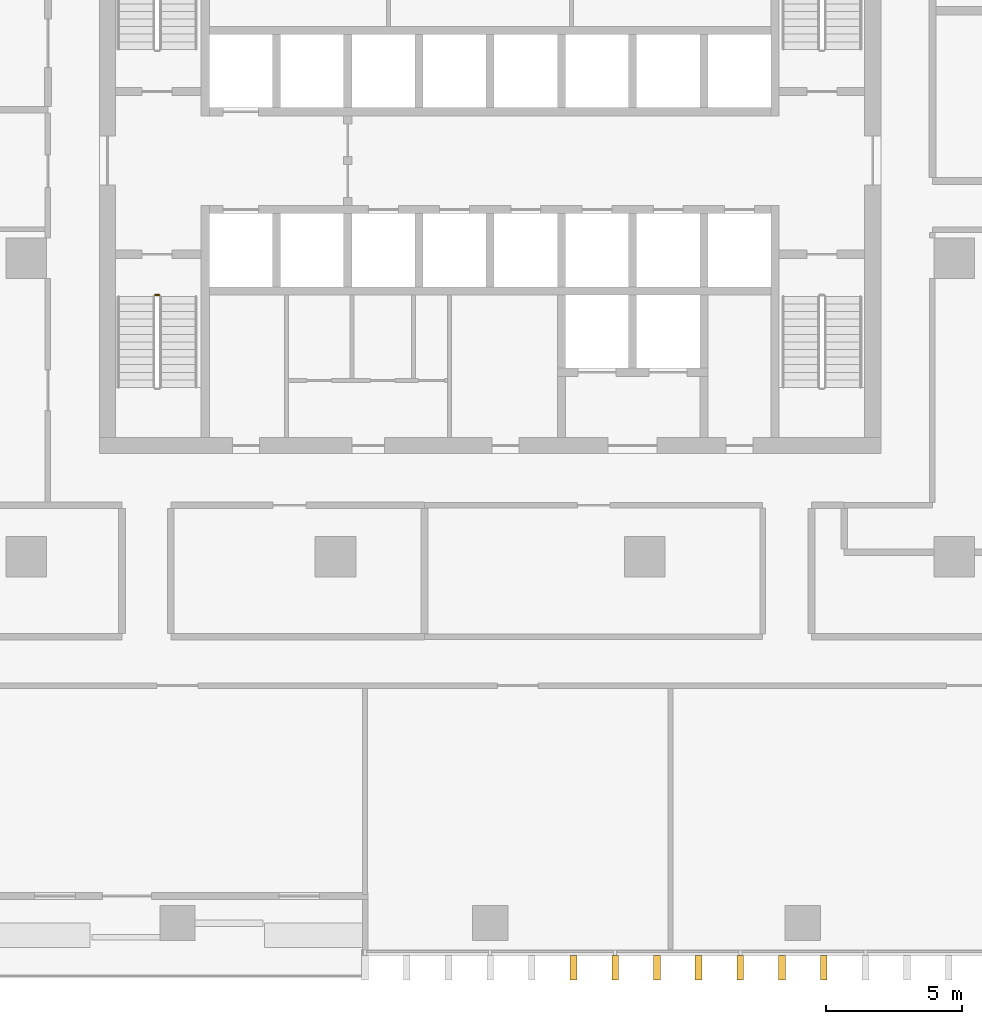
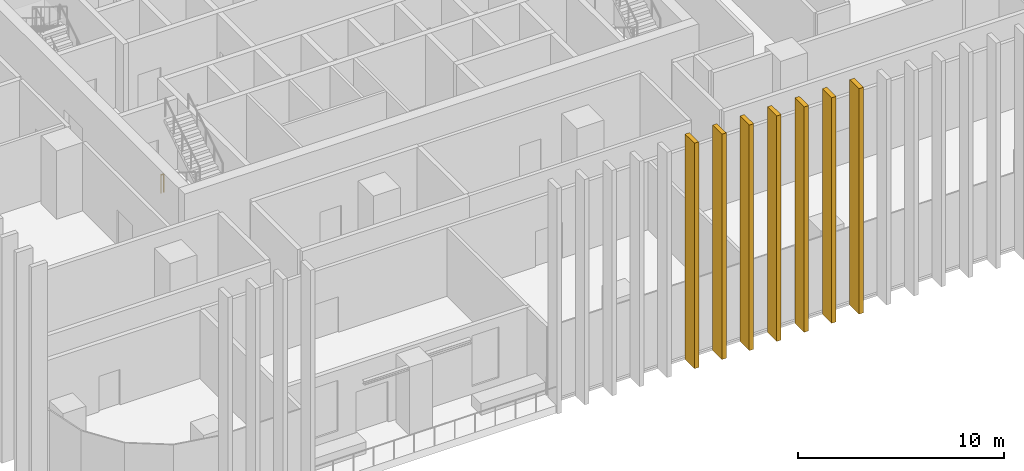
# One storey, part 13 of 17: 7 shading devices, 1 railing.
"""IFC4 building model written with IfcOpenShell, lengths in metres."""

from ifc_helpers import new_model, si_unit, direction, frame, origin, origin_2d, place, context, subcontext, project, spatial, rectangle, circle, extrude, material, type_object, element, save


model = new_model("IFC4")

# Units and contexts
model_context = context("Model", 3, precision=1e-05, world=origin(), true_north=direction((0.0, 1.0)))
body_context = subcontext(model_context, "Body", "Model", "MODEL_VIEW")
ifc_project = project(units=[si_unit("LENGTHUNIT", "METRE"), si_unit("AREAUNIT", "SQUARE_METRE"), si_unit("VOLUMEUNIT", "CUBIC_METRE"), si_unit("PLANEANGLEUNIT", "RADIAN"), si_unit("MASSUNIT", "GRAM", prefix="KILO")], contexts=[model_context])

# Site, building, storey
site_placement = place(None, origin())
site = spatial("IfcSite", under=ifc_project, at=site_placement, CompositionType="ELEMENT")
building_placement = place(site_placement, origin())
building = spatial("IfcBuilding", under=site, at=building_placement, Name="Mopane Tessera Tower", CompositionType="ELEMENT")
storey_placement = place(building_placement, frame((0.0, 0.0, 135.10009765625)))
storey = spatial("IfcBuildingStorey", under=building, at=storey_placement, Name="L27", CompositionType="ELEMENT", Elevation=135.10009765625)

# Shading devices
ifc_material_1 = material(Name="Glazed ceramic tile")
shading_device_type = type_object("IfcShadingDeviceType", Name="Ceramic tile fin 900 x 250 mm", PredefinedType="USERDEFINED", material=ifc_material_1)
for number, where, z_axis, x_axis, name in (
    (1, (3.0732421875, -26.14990234375, -0.4501953125), (0.0, 0.0, 1.0), (1.0, 0.0, 0.0), "e:fin:L27:S:5:2"),
    (2, (4.610107421875, -26.14990234375, -0.4501953125), (0.0, 0.0, 1.0), (1.0, 0.0, 0.0), "e:fin:L27:S:6:0"),
    (3, (6.146728515625, -26.14990234375, -0.4501953125), (0.0, 0.0, 1.0), (1.0, 0.0, 0.0), "e:fin:L27:S:6:1"),
    (4, (7.683349609375, -26.14990234375, -0.4501953125), (0.0, 0.0, 1.0), (1.0, 0.0, 0.0), "e:fin:L27:S:6:2"),
    (5, (9.219970703125, -26.14990234375, -0.4501953125), (0.0, 0.0, 1.0), (1.0, 0.0, 0.0), "e:fin:L27:S:7:0"),
    (6, (10.756591796875, -26.14990234375, -0.4501953125), (0.0, 0.0, 1.0), (1.0, 0.0, 0.0), "e:fin:L27:S:7:1"),
    (7, (12.293212890625, -26.14990234375, -0.4501953125), (0.0, 0.0, 1.0), (1.0, 0.0, 0.0), "e:fin:L27:S:7:2"),
):
    element("IfcShadingDevice", number, at=place(storey_placement, frame(where, z_axis=z_axis, x_axis=x_axis)), inside=storey, type_object=shading_device_type, Name=name, ObjectType="FIN", PredefinedType="USERDEFINED", context=body_context, shape_type="SweptSolid", body=[
        extrude(rectangle(XDim=0.25, YDim=0.89990234375, at=origin_2d()), origin(), (0.0, 0.0, 1.0), 13.35009765625),
    ])

# Railing
ifc_material_2 = material(Name="Powder-coated steel balustrade", Category="steel")
railing_type = type_object("IfcRailingType", Name="Escape stair guard 1100 mm", PredefinedType="GUARDRAIL", material=ifc_material_2)
railing_placement = place(storey_placement, frame((-12.35009765625, -1.35009765625, 0.0)))
element("IfcRailing", 8, at=railing_placement, inside=storey, type_object=railing_type, Name="L27 ST1 stair guard 3", PredefinedType="GUARDRAIL", context=body_context, shape_type="SweptSolid", body=[
    extrude(circle(Radius=0.02392578125, at=origin_2d()), frame((0.0, 0.0, 1.076171875), z_axis=(1.0, 0.0, 0.0), x_axis=(0.0, 1.0, 0.0)), (0.0, 0.0, 1.0), 0.150146484375),
    extrude(circle(Radius=0.02099609375, at=origin_2d()), origin(), (0.0, 0.0, 1.0), 1.052001953125),
    extrude(circle(Radius=0.02099609375, at=origin_2d()), frame((0.150146484375, 0.0, 0.0)), (0.0, 0.0, 1.0), 1.052001953125),
])

save(model, "model.ifc")
